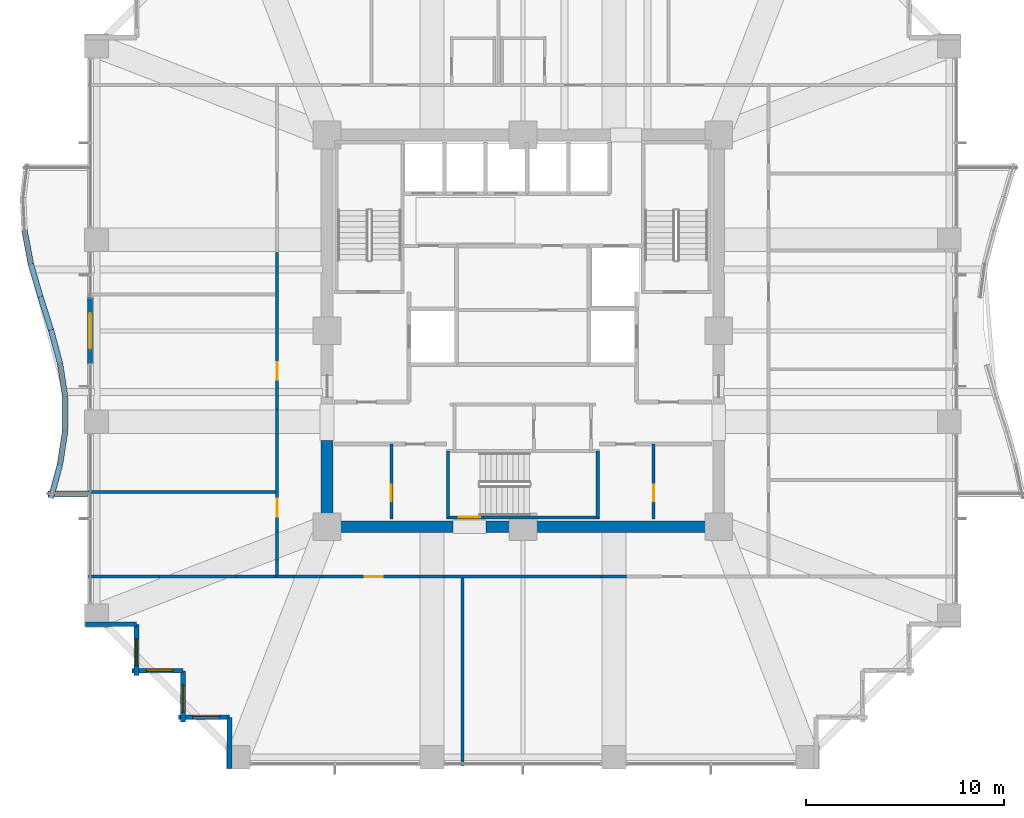
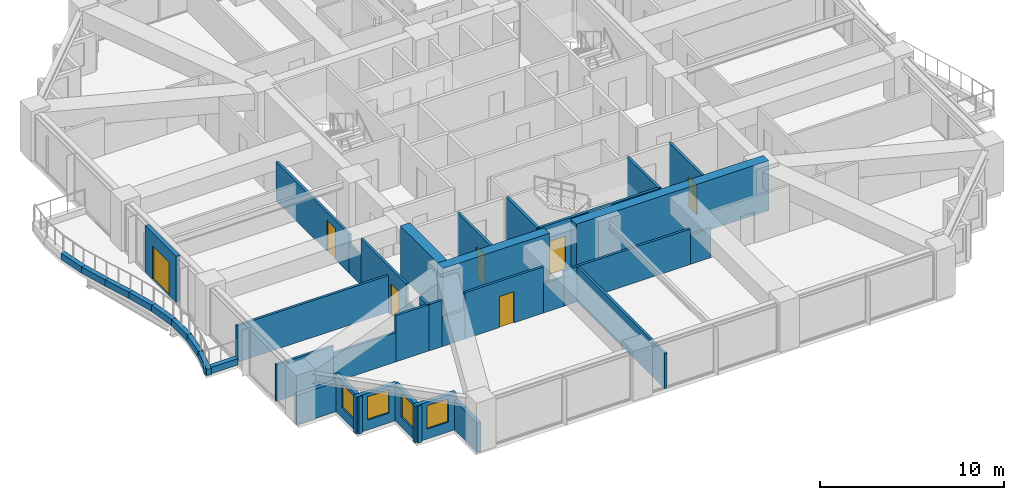
# One storey, part 32 of 39: 40 walls, 7 doors, 4 windows, 11 openings.
"""IFC4 building model written with IfcOpenShell, lengths in metres."""

from ifc_helpers import new_model, si_unit, direction, frame, frame_2d, origin, place, context, subcontext, project, spatial, rectangle, extrude, material, layer, layer_set, type_object, element, fill, save


model = new_model("IFC4")

# Units and contexts
model_context = context("Model", 3, precision=1e-05, world=origin(), true_north=direction((0.0, 1.0)))
body_context = subcontext(model_context, "Body", "Model", "MODEL_VIEW")
ifc_project = project(units=[si_unit("LENGTHUNIT", "METRE"), si_unit("AREAUNIT", "SQUARE_METRE"), si_unit("VOLUMEUNIT", "CUBIC_METRE"), si_unit("PLANEANGLEUNIT", "RADIAN"), si_unit("MASSUNIT", "GRAM", prefix="KILO")], contexts=[model_context])

# Site, building, storey
site_placement = place(None, origin())
site = spatial("IfcSite", under=ifc_project, at=site_placement, CompositionType="ELEMENT")
building_placement = place(site_placement, origin())
building = spatial("IfcBuilding", under=site, at=building_placement, Name="Kolvaren Belvedere", CompositionType="ELEMENT")
storey_placement = place(building_placement, frame((0.0, 0.0, 33.699951171875)))
storey = spatial("IfcBuildingStorey", under=building, at=storey_placement, Name="L09", CompositionType="ELEMENT", Elevation=33.699951171875)

# Walls
ifc_material_1 = material(Name="Concrete C60/75", Category="concrete")
ifc_layer_1 = layer(ifc_material_1, 0.60009765625)
ifc_layer_set_1 = layer_set([ifc_layer_1], Name="Concrete C60/75")
wall_type_1 = type_object("IfcWallType", Name="CW-CORE-600", PredefinedType="SHEAR", material=ifc_layer_set_1)
wall_1_placement = place(storey_placement, frame((10.199951171875, -9.89990234375, 0.0), z_axis=(0.0, 0.0, 1.0), x_axis=(-1.0, 0.0, 0.0)))
element("IfcWall", 1, at=wall_1_placement, inside=storey, type_object=wall_type_1, Name="L09 South Core Shear Wall 1", PredefinedType="SHEAR", context=body_context, shape_type="SweptSolid", body=[
    extrude(rectangle(XDim=12.06005859375, YDim=0.60009765625, at=frame_2d((6.030029296875, 0.0))), origin(), (0.0, 0.0, 1.0), 3.300048828125),
])
wall_2_placement = place(storey_placement, frame((-3.5400390625, -9.89990234375, 0.0), z_axis=(0.0, 0.0, 1.0), x_axis=(-1.0, 0.0, 0.0)))
element("IfcWall", 2, at=wall_2_placement, inside=storey, type_object=wall_type_1, Name="L09 South Core Shear Wall 2", PredefinedType="SHEAR", context=body_context, shape_type="SweptSolid", body=[
    extrude(rectangle(XDim=6.659912109375, YDim=0.60009765625, at=frame_2d((3.330078125, 0.0))), origin(), (0.0, 0.0, 1.0), 3.300048828125),
])
wall_3_placement = place(storey_placement, frame((-9.89990234375, -9.60009765625, 0.0), z_axis=(0.0, 0.0, 1.0), x_axis=(0.0, 1.0, 0.0)))
element("IfcWall", 3, at=wall_3_placement, inside=storey, type_object=wall_type_1, Name="L09 West Core Shear Wall 1", PredefinedType="SHEAR", context=body_context, shape_type="SweptSolid", body=[
    extrude(rectangle(XDim=4.050048828125, YDim=0.60009765625, at=frame_2d((2.02490234375, 0.0))), origin(), (0.0, 0.0, 1.0), 3.300048828125),
])

# Wall, opening, door
ifc_material_2 = material(Name="Concrete C50/60", Category="concrete")
ifc_layer_2 = layer(ifc_material_2, 0.159912109375)
ifc_layer_set_2 = layer_set([ifc_layer_2], Name="Concrete C50/60")
wall_type_2 = type_object("IfcWallType", Name="CW-STAIR-160", PredefinedType="SHEAR", material=ifc_layer_set_2)
wall_4_placement = place(storey_placement, frame((3.860107421875, -9.429931640625, 0.0), z_axis=(0.0, 0.0, 1.0), x_axis=(-1.0, 0.0, 0.0)))
wall_4 = element("IfcWall", 4, at=wall_4_placement, inside=storey, type_object=wall_type_2, Name="L09 Stair ST-3 South Shear Wall", PredefinedType="SHEAR", context=body_context, shape_type="SweptSolid", body=[
    extrude(rectangle(XDim=7.72021484375, YDim=0.159912109375, at=frame_2d((3.860107421875, 0.0))), origin(), (0.0, 0.0, 1.0), 3.300048828125),
])
opening_1_placement = place(wall_4_placement, frame((6.010009765625, 0.0, 0.0)))
opening_1 = element("IfcOpeningElement", 5, at=opening_1_placement, cuts=wall_4, Name="Opening D-FD90", PredefinedType="OPENING", context=body_context, shape_type="SweptSolid", body=[
    extrude(rectangle(XDim=1.10009765625, YDim=2.199951171875, at=frame_2d((0.550048828125, 1.10009765625))), frame((0.0, 0.08984375, 0.0), z_axis=(0.0, -1.0, 0.0), x_axis=(1.0, 0.0, 0.0)), (0.0, 0.0, 1.0), 0.179931640625),
])
ifc_material_3 = material(Name="Painted hollow stainless steel", Category="steel")
door_type_1 = type_object("IfcDoorType", Name="DR-FD90-1100", OperationType="NOTDEFINED", PredefinedType="DOOR", material=ifc_material_3)
door_1_placement = place(opening_1_placement, origin())
door_1 = element("IfcDoor", 6, at=door_1_placement, inside=storey, type_object=door_type_1, Name="L09 Stair ST-3 Exit Door", OperationType="SINGLE_SWING_RIGHT", OverallHeight=2.199951171875, OverallWidth=1.10009765625, PredefinedType="DOOR", context=body_context, shape_type="SweptSolid", body=[
    extrude(rectangle(XDim=1.10009765625, YDim=2.199951171875, at=frame_2d((0.550048828125, 1.10009765625))), frame((0.0, 0.02490234375, 0.0), z_axis=(0.0, -1.0, 0.0), x_axis=(1.0, 0.0, 0.0)), (0.0, 0.0, 1.0), 0.050048828125),
])
fill(opening_1, door_1)

# Walls
for number, where, z_axis, x_axis, name in (
    (7, (-3.780029296875, -9.429931640625, 0.0), (0.0, 0.0, 1.0), (0.0, 1.0, 0.0), "L09 Stair ST-3 West Shear Wall"),
    (8, (3.780029296875, -9.429931640625, 0.0), (0.0, 0.0, 1.0), (0.0, 1.0, 0.0), "L09 Stair ST-3 East Shear Wall"),
):
    element("IfcWall", number, at=place(storey_placement, frame(where, z_axis=z_axis, x_axis=x_axis)), inside=storey, type_object=wall_type_2, Name=name, PredefinedType="SHEAR", context=body_context, shape_type="SweptSolid", body=[
        extrude(rectangle(XDim=3.349853515625, YDim=0.159912109375, at=frame_2d((1.6748046875, 0.0))), origin(), (0.0, 0.0, 1.0), 3.300048828125),
    ])
ifc_material_4 = material(Name="Gypsum fire-rated partition assembly", Category="gypsum")
ifc_layer_3 = layer(ifc_material_4, 0.14990234375)
ifc_layer_set_3 = layer_set([ifc_layer_3], Name="Gypsum fire-rated partition assembly")
wall_type_3 = type_object("IfcWallType", Name="WL-CORR-150", PredefinedType="PARTITIONING", material=ifc_layer_set_3)
wall_5_placement = place(storey_placement, frame((-12.419921875, -12.419921875, 0.0), z_axis=(0.0, 0.0, 1.0), x_axis=(1.0, 0.0, 0.0)))
element("IfcWall", 9, at=wall_5_placement, inside=storey, type_object=wall_type_3, Name="L09 South Corridor Wall", PredefinedType="PARTITIONING", context=body_context, shape_type="SweptSolid", body=[
    extrude(rectangle(XDim=0.826904296875, YDim=0.14990234375, at=frame_2d((0.41357421875, 0.0))), origin(), (0.0, 0.0, 1.0), 3.06005859375),
])
wall_6_placement = place(storey_placement, frame((-11.593017578125, -12.419921875, 0.0), z_axis=(0.0, 0.0, 1.0), x_axis=(1.0, 0.0, 0.0)))
element("IfcWall", 10, at=wall_6_placement, inside=storey, type_object=wall_type_3, Name="L09 South Corridor Wall", PredefinedType="PARTITIONING", context=body_context, shape_type="SweptSolid", body=[
    extrude(rectangle(XDim=1.439208984375, YDim=0.14990234375, at=frame_2d((0.7197265625, 0.0))), origin(), (0.0, 0.0, 1.0), 1.945068359375),
])

# Wall, opening, door
wall_7_placement = place(storey_placement, frame((-10.15380859375, -12.419921875, 0.0), z_axis=(0.0, 0.0, 1.0), x_axis=(1.0, 0.0, 0.0)))
wall_7 = element("IfcWall", 11, at=wall_7_placement, inside=storey, type_object=wall_type_3, Name="L09 South Corridor Wall", PredefinedType="PARTITIONING", context=body_context, shape_type="SweptSolid", body=[
    extrude(rectangle(XDim=4.911865234375, YDim=0.14990234375, at=frame_2d((2.4560546875, 0.0))), origin(), (0.0, 0.0, 1.0), 3.06005859375),
])
opening_2_placement = place(wall_7_placement, frame((2.168701171875, 0.0, 0.0)))
opening_2 = element("IfcOpeningElement", 12, at=opening_2_placement, cuts=wall_7, Name="Opening D-INT90", PredefinedType="OPENING", context=body_context, shape_type="SweptSolid", body=[
    extrude(rectangle(XDim=0.89990234375, YDim=2.06005859375, at=frame_2d((0.449951171875, 1.030029296875))), frame((0.0, 0.0849609375, 0.0), z_axis=(0.0, -1.0, 0.0), x_axis=(1.0, 0.0, 0.0)), (0.0, 0.0, 1.0), 0.169921875),
])
ifc_material_5 = material(Name="Stained Pacific white oak", Category="timber")
door_type_2 = type_object("IfcDoorType", Name="DR-INT-900", OperationType="NOTDEFINED", PredefinedType="DOOR", material=ifc_material_5)
door_2_placement = place(opening_2_placement, origin())
door_2 = element("IfcDoor", 13, at=door_2_placement, inside=storey, type_object=door_type_2, Name="L09 Lounge 901 Door", OperationType="SINGLE_SWING_LEFT", OverallHeight=2.06005859375, OverallWidth=0.89990234375, PredefinedType="DOOR", context=body_context, shape_type="SweptSolid", body=[
    extrude(rectangle(XDim=0.89990234375, YDim=2.06005859375, at=frame_2d((0.449951171875, 1.030029296875))), frame((0.0, 0.02490234375, 0.0), z_axis=(0.0, -1.0, 0.0), x_axis=(1.0, 0.0, 0.0)), (0.0, 0.0, 1.0), 0.050048828125),
])
fill(opening_2, door_2)

# Walls
wall_8_placement = place(storey_placement, frame((-5.241943359375, -12.419921875, 0.0), z_axis=(0.0, 0.0, 1.0), x_axis=(1.0, 0.0, 0.0)))
element("IfcWall", 14, at=wall_8_placement, inside=storey, type_object=wall_type_3, Name="L09 South Corridor Wall", PredefinedType="PARTITIONING", context=body_context, shape_type="SweptSolid", body=[
    extrude(rectangle(XDim=1.283935546875, YDim=0.14990234375, at=frame_2d((0.64208984375, 0.0))), origin(), (0.0, 0.0, 1.0), 1.945068359375),
])
wall_9_placement = place(storey_placement, frame((-3.9580078125, -12.419921875, 0.0), z_axis=(0.0, 0.0, 1.0), x_axis=(1.0, 0.0, 0.0)))
element("IfcWall", 15, at=wall_9_placement, inside=storey, type_object=wall_type_3, Name="L09 South Corridor Wall", PredefinedType="PARTITIONING", context=body_context, shape_type="SweptSolid", body=[
    extrude(rectangle(XDim=7.916015625, YDim=0.14990234375, at=frame_2d((3.9580078125, 0.0))), origin(), (0.0, 0.0, 1.0), 2.34912109375),
])
wall_10_placement = place(storey_placement, frame((3.9580078125, -12.419921875, 0.0), z_axis=(0.0, 0.0, 1.0), x_axis=(1.0, 0.0, 0.0)))
element("IfcWall", 16, at=wall_10_placement, inside=storey, type_object=wall_type_3, Name="L09 South Corridor Wall", PredefinedType="PARTITIONING", context=body_context, shape_type="SweptSolid", body=[
    extrude(rectangle(XDim=1.283935546875, YDim=0.14990234375, at=frame_2d((0.64208984375, 0.0))), origin(), (0.0, 0.0, 1.0), 1.945068359375),
])
wall_11_placement = place(storey_placement, frame((-12.419921875, -12.419921875, 0.0), z_axis=(0.0, 0.0, 1.0), x_axis=(0.0, 1.0, 0.0)))
element("IfcWall", 17, at=wall_11_placement, inside=storey, type_object=wall_type_3, Name="L09 West Corridor Wall", PredefinedType="PARTITIONING", context=body_context, shape_type="SweptSolid", body=[
    extrude(rectangle(XDim=0.826904296875, YDim=0.14990234375, at=frame_2d((0.41357421875, 0.0))), origin(), (0.0, 0.0, 1.0), 3.06005859375),
])
wall_12_placement = place(storey_placement, frame((-12.419921875, -11.593017578125, 0.0), z_axis=(0.0, 0.0, 1.0), x_axis=(0.0, 1.0, 0.0)))
element("IfcWall", 18, at=wall_12_placement, inside=storey, type_object=wall_type_3, Name="L09 West Corridor Wall", PredefinedType="PARTITIONING", context=body_context, shape_type="SweptSolid", body=[
    extrude(rectangle(XDim=1.439208984375, YDim=0.14990234375, at=frame_2d((0.7197265625, 0.0))), origin(), (0.0, 0.0, 1.0), 1.945068359375),
])

# Wall, opening, door
wall_13_placement = place(storey_placement, frame((-12.419921875, -10.15380859375, 0.0), z_axis=(0.0, 0.0, 1.0), x_axis=(0.0, 1.0, 0.0)))
wall_13 = element("IfcWall", 19, at=wall_13_placement, inside=storey, type_object=wall_type_3, Name="L09 West Corridor Wall", PredefinedType="PARTITIONING", context=body_context, shape_type="SweptSolid", body=[
    extrude(rectangle(XDim=4.911865234375, YDim=0.14990234375, at=frame_2d((2.4560546875, 0.0))), origin(), (0.0, 0.0, 1.0), 3.06005859375),
])
opening_3_placement = place(wall_13_placement, frame((0.758056640625, 0.0, 0.0)))
opening_3 = element("IfcOpeningElement", 20, at=opening_3_placement, cuts=wall_13, Name="Opening D-INT90", PredefinedType="OPENING", context=body_context, shape_type="SweptSolid", body=[
    extrude(rectangle(XDim=0.89990234375, YDim=2.06005859375, at=frame_2d((0.449951171875, 1.030029296875))), frame((0.0, 0.0849609375, 0.0), z_axis=(0.0, -1.0, 0.0), x_axis=(1.0, 0.0, 0.0)), (0.0, 0.0, 1.0), 0.169921875),
])
door_3_placement = place(opening_3_placement, origin())
door_3 = element("IfcDoor", 21, at=door_3_placement, inside=storey, type_object=door_type_2, Name="L09 Lounge 908 Door", OperationType="SINGLE_SWING_RIGHT", OverallHeight=2.06005859375, OverallWidth=0.89990234375, PredefinedType="DOOR", context=body_context, shape_type="SweptSolid", body=[
    extrude(rectangle(XDim=0.89990234375, YDim=2.06005859375, at=frame_2d((0.449951171875, 1.030029296875))), frame((0.0, 0.02490234375, 0.0), z_axis=(0.0, -1.0, 0.0), x_axis=(1.0, 0.0, 0.0)), (0.0, 0.0, 1.0), 0.050048828125),
])
fill(opening_3, door_3)

# Wall
wall_14_placement = place(storey_placement, frame((-12.419921875, -5.241943359375, 0.0), z_axis=(0.0, 0.0, 1.0), x_axis=(0.0, 1.0, 0.0)))
element("IfcWall", 22, at=wall_14_placement, inside=storey, type_object=wall_type_3, Name="L09 West Corridor Wall", PredefinedType="PARTITIONING", context=body_context, shape_type="SweptSolid", body=[
    extrude(rectangle(XDim=1.283935546875, YDim=0.14990234375, at=frame_2d((0.64208984375, 0.0))), origin(), (0.0, 0.0, 1.0), 1.945068359375),
])

# Wall, opening, door
wall_15_placement = place(storey_placement, frame((-12.419921875, -3.9580078125, 0.0), z_axis=(0.0, 0.0, 1.0), x_axis=(0.0, 1.0, 0.0)))
wall_15 = element("IfcWall", 23, at=wall_15_placement, inside=storey, type_object=wall_type_3, Name="L09 West Corridor Wall", PredefinedType="PARTITIONING", context=body_context, shape_type="SweptSolid", body=[
    extrude(rectangle(XDim=7.916015625, YDim=0.14990234375, at=frame_2d((3.9580078125, 0.0))), origin(), (0.0, 0.0, 1.0), 2.5849609375),
])
opening_4_placement = place(wall_15_placement, frame((1.47802734375, 0.0, 0.0)))
opening_4 = element("IfcOpeningElement", 24, at=opening_4_placement, cuts=wall_15, Name="Opening D-INT90", PredefinedType="OPENING", context=body_context, shape_type="SweptSolid", body=[
    extrude(rectangle(XDim=0.89990234375, YDim=2.06005859375, at=frame_2d((0.449951171875, 1.030029296875))), frame((0.0, 0.0849609375, 0.0), z_axis=(0.0, -1.0, 0.0), x_axis=(1.0, 0.0, 0.0)), (0.0, 0.0, 1.0), 0.169921875),
])
door_4_placement = place(opening_4_placement, origin())
door_4 = element("IfcDoor", 25, at=door_4_placement, inside=storey, type_object=door_type_2, Name="L09 Lounge 909 Door", OperationType="SINGLE_SWING_LEFT", OverallHeight=2.06005859375, OverallWidth=0.89990234375, PredefinedType="DOOR", context=body_context, shape_type="SweptSolid", body=[
    extrude(rectangle(XDim=0.89990234375, YDim=2.06005859375, at=frame_2d((0.449951171875, 1.030029296875))), frame((0.0, 0.02490234375, 0.0), z_axis=(0.0, -1.0, 0.0), x_axis=(1.0, 0.0, 0.0)), (0.0, 0.0, 1.0), 0.050048828125),
])
fill(opening_4, door_4)

ifc_material_6 = material(Name="Insulated pale-metal facade wall assembly", Category="aluminium")
ifc_layer_4 = layer(ifc_material_6, 0.239990234375)
ifc_layer_set_4 = layer_set([ifc_layer_4], Name="Insulated pale-metal facade wall assembly")
wall_type_4 = type_object("IfcWallType", Name="WL-EXT-240", PredefinedType="STANDARD", material=ifc_layer_set_4)
wall_16_placement = place(storey_placement, frame((-21.8798828125, -1.679931640625, 0.0), z_axis=(0.0, 0.0, 1.0), x_axis=(0.0, 1.0, 0.0)))
wall_16 = element("IfcWall", 26, at=wall_16_placement, inside=storey, type_object=wall_type_4, Name="L09 West Terrace Portal Wall", PredefinedType="STANDARD", context=body_context, shape_type="SweptSolid", body=[
    extrude(rectangle(XDim=3.35986328125, YDim=0.239990234375, at=frame_2d((1.679931640625, 0.0))), origin(), (0.0, 0.0, 1.0), 3.06005859375),
])
opening_5_placement = place(wall_16_placement, frame((0.780029296875, 0.0, 0.0)))
opening_5 = element("IfcOpeningElement", 27, at=opening_5_placement, cuts=wall_16, Name="Opening DB-1800", PredefinedType="OPENING", context=body_context, shape_type="SweptSolid", body=[
    extrude(rectangle(XDim=1.800048828125, YDim=2.199951171875, at=frame_2d((0.89990234375, 1.10009765625))), frame((0.0, 0.1298828125, 0.0), z_axis=(0.0, -1.0, 0.0), x_axis=(1.0, 0.0, 0.0)), (0.0, 0.0, 1.0), 0.260009765625),
])
ifc_material_7 = material(Name="Thermally broken pale-metal aluminium & low-iron glass", Category="aluminium")
door_type_3 = type_object("IfcDoorType", Name="DR-BAL-1800", OperationType="DOUBLE_DOOR_SLIDING", PredefinedType="DOOR", material=ifc_material_7)
door_5_placement = place(opening_5_placement, origin())
door_5 = element("IfcDoor", 28, at=door_5_placement, inside=storey, type_object=door_type_3, Name="L09 West Planted Terrace Sliding Door", OperationType="DOUBLE_DOOR_SLIDING", OverallHeight=2.199951171875, OverallWidth=1.800048828125, PredefinedType="DOOR", context=body_context, shape_type="SweptSolid", body=[
    extrude(rectangle(XDim=1.800048828125, YDim=2.199951171875, at=frame_2d((0.89990234375, 1.10009765625))), frame((0.0, 0.02490234375, 0.0), z_axis=(0.0, -1.0, 0.0), x_axis=(1.0, 0.0, 0.0)), (0.0, 0.0, 1.0), 0.050048828125),
])
fill(opening_5, door_5)

# Wall
wall_17_placement = place(storey_placement, frame((-19.530029296875, -14.830078125, 0.0), z_axis=(0.0, 0.0, 1.0), x_axis=(-1.0, 0.0, 0.0)))
element("IfcWall", 29, at=wall_17_placement, inside=storey, type_object=wall_type_4, Name="L09 Serrated Corner Facade Wall 23", PredefinedType="STANDARD", context=body_context, shape_type="SweptSolid", body=[
    extrude(rectangle(XDim=2.590087890625, YDim=0.239990234375, at=frame_2d((1.294921875, 0.0))), origin(), (0.0, 0.0, 1.0), 1.955078125),
])

# Wall, opening, window
wall_18_placement = place(storey_placement, frame((-19.530029296875, -17.419921875, 0.0), z_axis=(0.0, 0.0, 1.0), x_axis=(0.0, 1.0, 0.0)))
wall_18 = element("IfcWall", 30, at=wall_18_placement, inside=storey, type_object=wall_type_4, Name="L09 Serrated Corner Facade Wall 24", PredefinedType="STANDARD", context=body_context, shape_type="SweptSolid", body=[
    extrude(rectangle(XDim=2.58984375, YDim=0.239990234375, at=frame_2d((1.294921875, 0.0))), origin(), (0.0, 0.0, 1.0), 2.43896484375),
])
opening_6_placement = place(wall_18_placement, frame((0.5, 0.0, 0.64990234375)))
opening_6 = element("IfcOpeningElement", 31, at=opening_6_placement, cuts=wall_18, Name="Opening W-1350", PredefinedType="OPENING", context=body_context, shape_type="SweptSolid", body=[
    extrude(rectangle(XDim=1.35009765625, YDim=1.550048828125, at=frame_2d((0.675048828125, 0.77490234375))), frame((0.0, 0.1298828125, 0.0), z_axis=(0.0, -1.0, 0.0), x_axis=(1.0, 0.0, 0.0)), (0.0, 0.0, 1.0), 0.260009765625),
])
ifc_material_8 = material(Name="Low-iron triple insulated glass", Category="glass")
window_type = type_object("IfcWindowType", Name="WN-CORN-1350", PartitioningType="SINGLE_PANEL", PredefinedType="WINDOW", material=ifc_material_8)
window_1_placement = place(opening_6_placement, origin())
window_1 = element("IfcWindow", 32, at=window_1_placement, inside=storey, type_object=window_type, Name="L09 Serrated Corner Vision Window 24", OverallHeight=1.550048828125, OverallWidth=1.35009765625, PartitioningType="SINGLE_PANEL", PredefinedType="WINDOW", context=body_context, shape_type="SweptSolid", body=[
    extrude(rectangle(XDim=1.35009765625, YDim=1.550048828125, at=frame_2d((0.675048828125, 0.77490234375))), frame((0.0, 0.030029296875, 0.0), z_axis=(0.0, -1.0, 0.0), x_axis=(1.0, 0.0, 0.0)), (0.0, 0.0, 1.0), 0.06005859375),
])
fill(opening_6, window_1)

wall_19_placement = place(storey_placement, frame((-17.179931640625, -17.179931640625, 0.0), z_axis=(0.0, 0.0, 1.0), x_axis=(-1.0, 0.0, 0.0)))
wall_19 = element("IfcWall", 33, at=wall_19_placement, inside=storey, type_object=wall_type_4, Name="L09 Serrated Corner Facade Wall 25", PredefinedType="STANDARD", context=body_context, shape_type="SweptSolid", body=[
    extrude(rectangle(XDim=2.590087890625, YDim=0.239990234375, at=frame_2d((1.294921875, 0.0))), origin(), (0.0, 0.0, 1.0), 2.43896484375),
])
opening_7_placement = place(wall_19_placement, frame((0.5, 0.0, 0.64990234375)))
opening_7 = element("IfcOpeningElement", 34, at=opening_7_placement, cuts=wall_19, Name="Opening W-1350", PredefinedType="OPENING", context=body_context, shape_type="SweptSolid", body=[
    extrude(rectangle(XDim=1.35009765625, YDim=1.550048828125, at=frame_2d((0.675048828125, 0.77490234375))), frame((0.0, 0.1298828125, 0.0), z_axis=(0.0, -1.0, 0.0), x_axis=(1.0, 0.0, 0.0)), (0.0, 0.0, 1.0), 0.260009765625),
])
window_2_placement = place(opening_7_placement, origin())
window_2 = element("IfcWindow", 35, at=window_2_placement, inside=storey, type_object=window_type, Name="L09 Serrated Corner Vision Window 25", OverallHeight=1.550048828125, OverallWidth=1.35009765625, PartitioningType="SINGLE_PANEL", PredefinedType="WINDOW", context=body_context, shape_type="SweptSolid", body=[
    extrude(rectangle(XDim=1.35009765625, YDim=1.550048828125, at=frame_2d((0.675048828125, 0.77490234375))), frame((0.0, 0.030029296875, 0.0), z_axis=(0.0, -1.0, 0.0), x_axis=(1.0, 0.0, 0.0)), (0.0, 0.0, 1.0), 0.06005859375),
])
fill(opening_7, window_2)

wall_20_placement = place(storey_placement, frame((-17.179931640625, -19.77001953125, 0.0), z_axis=(0.0, 0.0, 1.0), x_axis=(0.0, 1.0, 0.0)))
wall_20 = element("IfcWall", 36, at=wall_20_placement, inside=storey, type_object=wall_type_4, Name="L09 Serrated Corner Facade Wall 26", PredefinedType="STANDARD", context=body_context, shape_type="SweptSolid", body=[
    extrude(rectangle(XDim=2.590087890625, YDim=0.239990234375, at=frame_2d((1.294921875, 0.0))), origin(), (0.0, 0.0, 1.0), 2.43896484375),
])
opening_8_placement = place(wall_20_placement, frame((0.5, 0.0, 0.64990234375)))
opening_8 = element("IfcOpeningElement", 37, at=opening_8_placement, cuts=wall_20, Name="Opening W-1350", PredefinedType="OPENING", context=body_context, shape_type="SweptSolid", body=[
    extrude(rectangle(XDim=1.35009765625, YDim=1.550048828125, at=frame_2d((0.675048828125, 0.77490234375))), frame((0.0, 0.1298828125, 0.0), z_axis=(0.0, -1.0, 0.0), x_axis=(1.0, 0.0, 0.0)), (0.0, 0.0, 1.0), 0.260009765625),
])
window_3_placement = place(opening_8_placement, origin())
window_3 = element("IfcWindow", 38, at=window_3_placement, inside=storey, type_object=window_type, Name="L09 Serrated Corner Vision Window 26", OverallHeight=1.550048828125, OverallWidth=1.35009765625, PartitioningType="SINGLE_PANEL", PredefinedType="WINDOW", context=body_context, shape_type="SweptSolid", body=[
    extrude(rectangle(XDim=1.35009765625, YDim=1.550048828125, at=frame_2d((0.675048828125, 0.77490234375))), frame((0.0, 0.030029296875, 0.0), z_axis=(0.0, -1.0, 0.0), x_axis=(1.0, 0.0, 0.0)), (0.0, 0.0, 1.0), 0.06005859375),
])
fill(opening_8, window_3)

wall_21_placement = place(storey_placement, frame((-14.830078125, -19.530029296875, 0.0), z_axis=(0.0, 0.0, 1.0), x_axis=(-1.0, 0.0, 0.0)))
wall_21 = element("IfcWall", 39, at=wall_21_placement, inside=storey, type_object=wall_type_4, Name="L09 Serrated Corner Facade Wall 27", PredefinedType="STANDARD", context=body_context, shape_type="SweptSolid", body=[
    extrude(rectangle(XDim=2.58984375, YDim=0.239990234375, at=frame_2d((1.294921875, 0.0))), origin(), (0.0, 0.0, 1.0), 2.43896484375),
])
opening_9_placement = place(wall_21_placement, frame((0.5, 0.0, 0.64990234375)))
opening_9 = element("IfcOpeningElement", 40, at=opening_9_placement, cuts=wall_21, Name="Opening W-1350", PredefinedType="OPENING", context=body_context, shape_type="SweptSolid", body=[
    extrude(rectangle(XDim=1.35009765625, YDim=1.550048828125, at=frame_2d((0.675048828125, 0.77490234375))), frame((0.0, 0.1298828125, 0.0), z_axis=(0.0, -1.0, 0.0), x_axis=(1.0, 0.0, 0.0)), (0.0, 0.0, 1.0), 0.260009765625),
])
window_4_placement = place(opening_9_placement, origin())
window_4 = element("IfcWindow", 41, at=window_4_placement, inside=storey, type_object=window_type, Name="L09 Serrated Corner Vision Window 27", OverallHeight=1.550048828125, OverallWidth=1.35009765625, PartitioningType="SINGLE_PANEL", PredefinedType="WINDOW", context=body_context, shape_type="SweptSolid", body=[
    extrude(rectangle(XDim=1.35009765625, YDim=1.550048828125, at=frame_2d((0.675048828125, 0.77490234375))), frame((0.0, 0.030029296875, 0.0), z_axis=(0.0, -1.0, 0.0), x_axis=(1.0, 0.0, 0.0)), (0.0, 0.0, 1.0), 0.06005859375),
])
fill(opening_9, window_4)

# Wall
wall_22_placement = place(storey_placement, frame((-14.830078125, -22.1201171875, 0.0), z_axis=(0.0, 0.0, 1.0), x_axis=(0.0, 1.0, 0.0)))
element("IfcWall", 42, at=wall_22_placement, inside=storey, type_object=wall_type_4, Name="L09 Serrated Corner Facade Wall 28", PredefinedType="STANDARD", context=body_context, shape_type="SweptSolid", body=[
    extrude(rectangle(XDim=2.590087890625, YDim=0.239990234375, at=frame_2d((1.294921875, 0.0))), origin(), (0.0, 0.0, 1.0), 1.955078125),
])

# Wall, opening, door
ifc_material_9 = material(Name="Gypsum acoustic partition assembly", Category="gypsum")
ifc_layer_5 = layer(ifc_material_9, 0.14990234375)
ifc_layer_set_5 = layer_set([ifc_layer_5], Name="Gypsum acoustic partition assembly")
wall_type_5 = type_object("IfcWallType", Name="WL-PART-150", PredefinedType="PARTITIONING", material=ifc_layer_set_5)
wall_23_placement = place(storey_placement, frame((-6.64990234375, -9.52001953125, 0.0), z_axis=(0.0, 0.0, 1.0), x_axis=(0.0, 1.0, 0.0)))
wall_23 = element("IfcWall", 43, at=wall_23_placement, inside=storey, type_object=wall_type_5, Name="L09 SW Core Divider", PredefinedType="PARTITIONING", context=body_context, shape_type="SweptSolid", body=[
    extrude(rectangle(XDim=3.800048828125, YDim=0.14990234375, at=frame_2d((1.89990234375, 0.0))), origin(), (0.0, 0.0, 1.0), 3.06005859375),
])
opening_10_placement = place(wall_23_placement, frame((0.89990234375, 0.0, 0.0)))
opening_10 = element("IfcOpeningElement", 44, at=opening_10_placement, cuts=wall_23, Name="Opening D-INT85", PredefinedType="OPENING", context=body_context, shape_type="SweptSolid", body=[
    extrude(rectangle(XDim=0.85009765625, YDim=2.030029296875, at=frame_2d((0.425048828125, 1.01513671875))), frame((0.0, 0.0849609375, 0.0), z_axis=(0.0, -1.0, 0.0), x_axis=(1.0, 0.0, 0.0)), (0.0, 0.0, 1.0), 0.169921875),
])
ifc_material_10 = material(Name="Stained Pacific white oak", Category="timber")
door_type_4 = type_object("IfcDoorType", Name="DR-INT-850", OperationType="NOTDEFINED", PredefinedType="DOOR", material=ifc_material_10)
door_6_placement = place(opening_10_placement, origin())
door_6 = element("IfcDoor", 45, at=door_6_placement, inside=storey, type_object=door_type_4, Name="L09 SW Valet Door", OperationType="SINGLE_SWING_RIGHT", OverallHeight=2.030029296875, OverallWidth=0.85009765625, PredefinedType="DOOR", context=body_context, shape_type="SweptSolid", body=[
    extrude(rectangle(XDim=0.85009765625, YDim=2.030029296875, at=frame_2d((0.425048828125, 1.01513671875))), frame((0.0, 0.02490234375, 0.0), z_axis=(0.0, -1.0, 0.0), x_axis=(1.0, 0.0, 0.0)), (0.0, 0.0, 1.0), 0.050048828125),
])
fill(opening_10, door_6)

wall_24_placement = place(storey_placement, frame((6.60009765625, -9.52001953125, 0.0), z_axis=(0.0, 0.0, 1.0), x_axis=(0.0, 1.0, 0.0)))
wall_24 = element("IfcWall", 46, at=wall_24_placement, inside=storey, type_object=wall_type_5, Name="L09 SE Core Divider", PredefinedType="PARTITIONING", context=body_context, shape_type="SweptSolid", body=[
    extrude(rectangle(XDim=3.800048828125, YDim=0.14990234375, at=frame_2d((1.89990234375, 0.0))), origin(), (0.0, 0.0, 1.0), 3.06005859375),
])
opening_11_placement = place(wall_24_placement, frame((0.89990234375, 0.0, 0.0)))
opening_11 = element("IfcOpeningElement", 47, at=opening_11_placement, cuts=wall_24, Name="Opening D-INT85", PredefinedType="OPENING", context=body_context, shape_type="SweptSolid", body=[
    extrude(rectangle(XDim=0.85009765625, YDim=2.030029296875, at=frame_2d((0.425048828125, 1.01513671875))), frame((0.0, 0.0849609375, 0.0), z_axis=(0.0, -1.0, 0.0), x_axis=(1.0, 0.0, 0.0)), (0.0, 0.0, 1.0), 0.169921875),
])
door_7_placement = place(opening_11_placement, origin())
door_7 = element("IfcDoor", 48, at=door_7_placement, inside=storey, type_object=door_type_4, Name="L09 SE Switchboard Door", OperationType="SINGLE_SWING_LEFT", OverallHeight=2.030029296875, OverallWidth=0.85009765625, PredefinedType="DOOR", context=body_context, shape_type="SweptSolid", body=[
    extrude(rectangle(XDim=0.85009765625, YDim=2.030029296875, at=frame_2d((0.425048828125, 1.01513671875))), frame((0.0, 0.02490234375, 0.0), z_axis=(0.0, -1.0, 0.0), x_axis=(1.0, 0.0, 0.0)), (0.0, 0.0, 1.0), 0.050048828125),
])
fill(opening_11, door_7)

# Walls
wall_25_placement = place(storey_placement, frame((-21.97998046875, -12.419921875, 0.0), z_axis=(0.0, 0.0, 1.0), x_axis=(1.0, 0.0, 0.0)))
element("IfcWall", 49, at=wall_25_placement, inside=storey, type_object=wall_type_5, Name="L09 Wing Divider PW-L09-QSW", PredefinedType="PARTITIONING", context=body_context, shape_type="SweptSolid", body=[
    extrude(rectangle(XDim=3.602294921875, YDim=0.14990234375, at=frame_2d((1.80126953125, 0.0))), origin(), (0.0, 0.0, 1.0), 2.428955078125),
])
wall_26_placement = place(storey_placement, frame((-18.377685546875, -12.419921875, 0.0), z_axis=(0.0, 0.0, 1.0), x_axis=(1.0, 0.0, 0.0)))
element("IfcWall", 50, at=wall_26_placement, inside=storey, type_object=wall_type_5, Name="L09 Wing Divider PW-L09-QSW", PredefinedType="PARTITIONING", context=body_context, shape_type="SweptSolid", body=[
    extrude(rectangle(XDim=3.907470703125, YDim=0.14990234375, at=frame_2d((1.95361328125, 0.0))), origin(), (0.0, 0.0, 1.0), 1.945068359375),
])
wall_27_placement = place(storey_placement, frame((-14.47021484375, -12.419921875, 0.0), z_axis=(0.0, 0.0, 1.0), x_axis=(1.0, 0.0, 0.0)))
element("IfcWall", 51, at=wall_27_placement, inside=storey, type_object=wall_type_5, Name="L09 Wing Divider PW-L09-QSW", PredefinedType="PARTITIONING", context=body_context, shape_type="SweptSolid", body=[
    extrude(rectangle(XDim=2.05029296875, YDim=0.14990234375, at=frame_2d((1.025146484375, 0.0))), origin(), (0.0, 0.0, 1.0), 3.06005859375),
])
wall_28_placement = place(storey_placement, frame((-3.06005859375, -21.97998046875, 0.0), z_axis=(0.0, 0.0, 1.0), x_axis=(0.0, 1.0, 0.0)))
element("IfcWall", 52, at=wall_28_placement, inside=storey, type_object=wall_type_5, Name="L09 South Suite Demising Wall 1", PredefinedType="PARTITIONING", context=body_context, shape_type="SweptSolid", body=[
    extrude(rectangle(XDim=9.56005859375, YDim=0.14990234375, at=frame_2d((4.780029296875, 0.0))), origin(), (0.0, 0.0, 1.0), 2.34912109375),
])
wall_29_placement = place(storey_placement, frame((-21.97998046875, -8.156005859375, 0.0), z_axis=(0.0, 0.0, 1.0), x_axis=(1.0, 0.0, 0.0)))
element("IfcWall", 53, at=wall_29_placement, inside=storey, type_object=wall_type_5, Name="L09 West Suite Demising Wall 1", PredefinedType="PARTITIONING", context=body_context, shape_type="SweptSolid", body=[
    extrude(rectangle(XDim=9.56005859375, YDim=0.14990234375, at=frame_2d((4.780029296875, 0.0))), origin(), (0.0, 0.0, 1.0), 2.428955078125),
])
ifc_material_11 = material(Name="Precast concrete C40/50", Category="concrete")
ifc_layer_6 = layer(ifc_material_11, 0.300048828125)
ifc_layer_set_6 = layer_set([ifc_layer_6], Name="Precast concrete C40/50")
wall_type_6 = type_object("IfcWallType", Name="WL-PLANTER-300", PredefinedType="PARAPET", material=ifc_layer_set_6)
wall_30_placement = place(storey_placement, frame((-25.18701171875, 5.069580078125, -0.06005859375), z_axis=(0.0, 0.0, 1.0), x_axis=(0.184814532932, -0.982773416621, 0.0)))
element("IfcWall", 54, at=wall_30_placement, inside=storey, type_object=wall_type_6, Name="L09 Precast Structural Planter Wall BAL-W-3", PredefinedType="PARAPET", context=body_context, shape_type="SweptSolid", body=[
    extrude(rectangle(XDim=1.70947265625, YDim=0.280029296875, at=frame_2d((0.854736328125, 0.0))), origin(), (0.0, 0.0, 1.0), 0.420166015625),
])
wall_31_placement = place(storey_placement, frame((-24.874755859375, 3.404541015625, -0.06005859375), z_axis=(0.0, 0.0, 1.0), x_axis=(0.277946215201, -0.96059663827, 0.0)))
element("IfcWall", 55, at=wall_31_placement, inside=storey, type_object=wall_type_6, Name="L09 Precast Structural Planter Wall BAL-W-4", PredefinedType="PARAPET", context=body_context, shape_type="SweptSolid", body=[
    extrude(rectangle(XDim=1.748779296875, YDim=0.280029296875, at=frame_2d((0.87451171875, 0.0))), origin(), (0.0, 0.0, 1.0), 0.420166015625),
])
wall_32_placement = place(storey_placement, frame((-24.389892578125, 1.728515625, -0.06005859375), z_axis=(0.0, 0.0, 1.0), x_axis=(0.303906495014, -0.952701864325, 0.0)))
element("IfcWall", 56, at=wall_32_placement, inside=storey, type_object=wall_type_6, Name="L09 Precast Structural Planter Wall BAL-W-5", PredefinedType="PARAPET", context=body_context, shape_type="SweptSolid", body=[
    extrude(rectangle(XDim=1.763427734375, YDim=0.280029296875, at=frame_2d((0.8818359375, 0.0))), origin(), (0.0, 0.0, 1.0), 0.420166015625),
])
wall_33_placement = place(storey_placement, frame((-23.851806640625, 0.041748046875, -0.06005859375), z_axis=(0.0, 0.0, 1.0), x_axis=(0.260682852326, -0.965424492388, 0.0)))
element("IfcWall", 57, at=wall_33_placement, inside=storey, type_object=wall_type_6, Name="L09 Precast Structural Planter Wall BAL-W-6", PredefinedType="PARAPET", context=body_context, shape_type="SweptSolid", body=[
    extrude(rectangle(XDim=1.739990234375, YDim=0.280029296875, at=frame_2d((0.8701171875, 0.0))), origin(), (0.0, 0.0, 1.0), 0.420166015625),
])
wall_34_placement = place(storey_placement, frame((-23.39453125, -1.655517578125, -0.06005859375), z_axis=(0.0, 0.0, 1.0), x_axis=(0.152229849666, -0.988345118302, 0.0)))
element("IfcWall", 58, at=wall_34_placement, inside=storey, type_object=wall_type_6, Name="L09 Precast Structural Planter Wall BAL-W-7", PredefinedType="PARAPET", context=body_context, shape_type="SweptSolid", body=[
    extrude(rectangle(XDim=1.699951171875, YDim=0.280029296875, at=frame_2d((0.85009765625, 0.0))), origin(), (0.0, 0.0, 1.0), 0.420166015625),
])
wall_35_placement = place(storey_placement, frame((-23.1337890625, -3.360107421875, -0.06005859375), z_axis=(0.0, 0.0, 1.0), x_axis=(0.0, -1.0, 0.0)))
element("IfcWall", 59, at=wall_35_placement, inside=storey, type_object=wall_type_6, Name="L09 Precast Structural Planter Wall BAL-W-8", PredefinedType="PARAPET", context=body_context, shape_type="SweptSolid", body=[
    extrude(rectangle(XDim=1.679931640625, YDim=0.280029296875, at=frame_2d((0.83984375, 0.0))), origin(), (0.0, 0.0, 1.0), 0.420166015625),
])
wall_36_placement = place(storey_placement, frame((-23.1357421875, -5.064453125, -0.06005859375), z_axis=(0.0, 0.0, 1.0), x_axis=(-0.152251460091, -0.988341789514, 0.0)))
element("IfcWall", 60, at=wall_36_placement, inside=storey, type_object=wall_type_6, Name="L09 Precast Structural Planter Wall BAL-W-9", PredefinedType="PARAPET", context=body_context, shape_type="SweptSolid", body=[
    extrude(rectangle(XDim=1.69970703125, YDim=0.280029296875, at=frame_2d((0.849853515625, 0.0))), origin(), (0.0, 0.0, 1.0), 0.420166015625),
])
wall_37_placement = place(storey_placement, frame((-23.398193359375, -6.76171875, -0.06005859375), z_axis=(0.0, 0.0, 1.0), x_axis=(-0.260682852326, -0.965424492388, 0.0)))
element("IfcWall", 61, at=wall_37_placement, inside=storey, type_object=wall_type_6, Name="L09 Precast Structural Planter Wall BAL-W-10", PredefinedType="PARAPET", context=body_context, shape_type="SweptSolid", body=[
    extrude(rectangle(XDim=1.739990234375, YDim=0.280029296875, at=frame_2d((0.8701171875, 0.0))), origin(), (0.0, 0.0, 1.0), 0.420166015625),
])
wall_38_placement = place(storey_placement, frame((-24.00634765625, -8.239990234375, -0.06005859375), z_axis=(0.0, 0.0, 1.0), x_axis=(1.0, 0.0, 0.0)))
element("IfcWall", 62, at=wall_38_placement, inside=storey, type_object=wall_type_6, Name="L09 Precast Structural Planter Wall BAL-W-11", PredefinedType="PARAPET", context=body_context, shape_type="SweptSolid", body=[
    extrude(rectangle(XDim=2.00634765625, YDim=0.280029296875, at=frame_2d((1.003173828125, 0.0))), origin(), (0.0, 0.0, 1.0), 0.420166015625),
])

save(model, "model.ifc")
